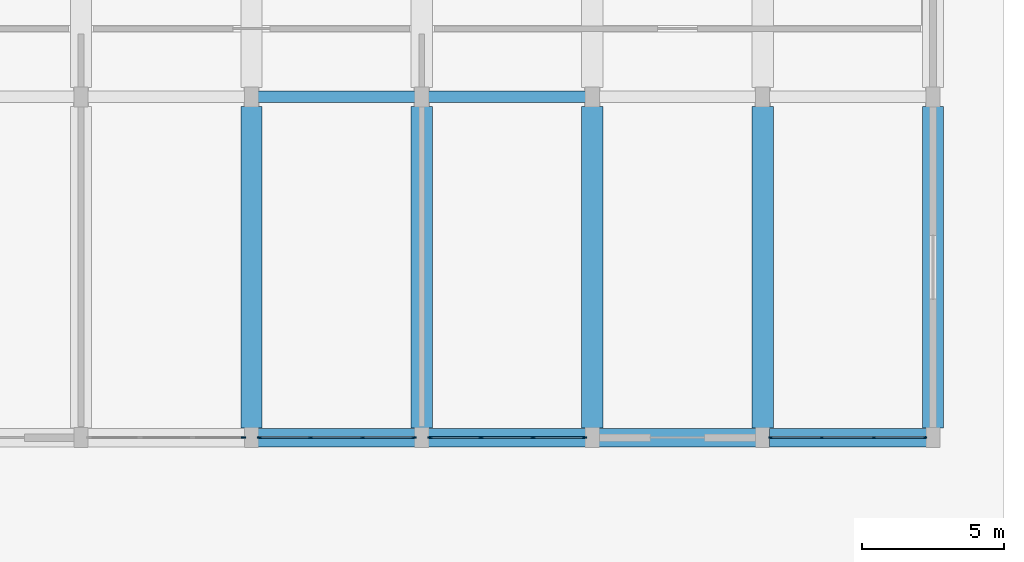
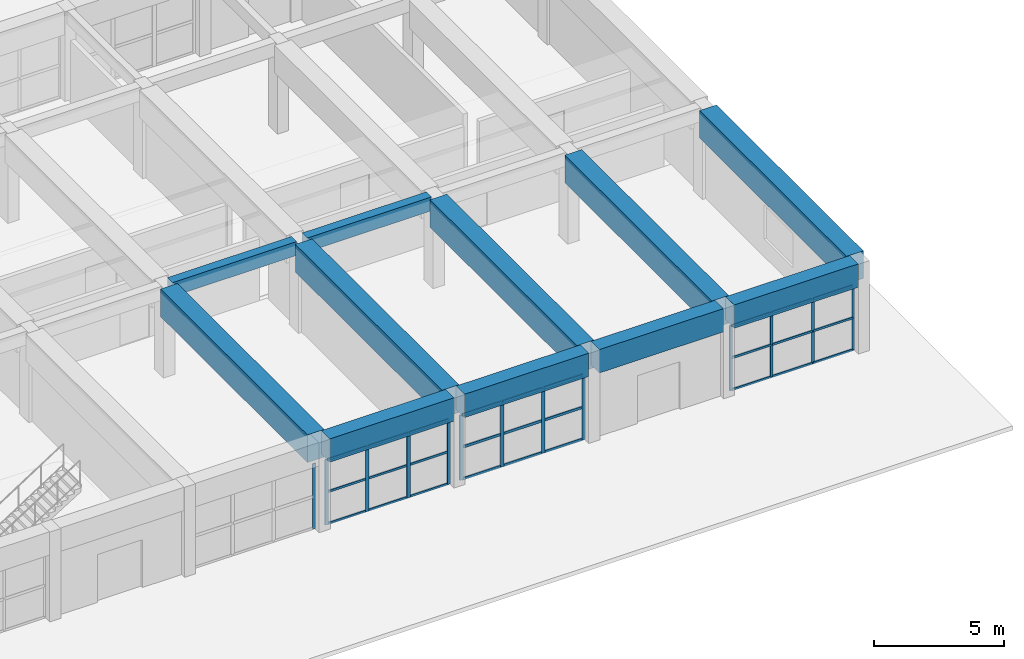
# One storey, part 32 of 76: 40 members, 11 beams, 4 elements without a shape of their own.
"""IFC4 building model written with IfcOpenShell, lengths in metres."""

import ifcopenshell
import ifcopenshell.guid

model = None  # the IFC model being written
_history = None  # IfcOwnerHistory: only IFC2X3 demands one
_inside = {}  # id of a spatial element -> (the spatial element, [elements in it])
_under = {}  # id of a project, library or spatial element -> (it, [spatial elements below it])
_declared = {}  # id of a project -> (the project, [libraries it declares])
_typed = {}  # id of a type object -> (the type object, [elements of that type])
_made_of = {}  # id of a material, layer set ... -> (it, [elements and type objects made of it])


def new_model(schema):
    """Start an empty IFC model of exactly this schema.

    Asked for "IFC4X3", IfcOpenShell would pick the latest addendum, in which some entities
    have other attributes; the version numbers below select the first issue.
    IFC2X3 requires an IfcOwnerHistory on every rooted entity: one is made here for all.
    """
    global model, _history
    if schema == "IFC4X3":
        model = ifcopenshell.file(schema_version=(4, 3, 0, 0))
    else:
        model = ifcopenshell.file(schema=schema)
    _inside.clear()
    _under.clear()
    _declared.clear()
    _typed.clear()
    _made_of.clear()
    _history = None
    if model.schema == "IFC2X3":
        org = make("IfcOrganization", Name="unknown")
        user = make(
            "IfcPersonAndOrganization",
            ThePerson=make("IfcPerson", FamilyName="unknown"),
            TheOrganization=org,
        )
        app = make(
            "IfcApplication",
            ApplicationDeveloper=org,
            Version="unknown",
            ApplicationFullName="unknown",
            ApplicationIdentifier="unknown",
        )
        _history = make(
            "IfcOwnerHistory",
            OwningUser=user,
            OwningApplication=app,
            ChangeAction="ADDED",
            CreationDate=0,
        )
    return model


def make(cls, **values):
    """One entity of the class cls with the attributes given. An attribute that is None is left unset."""
    return model.create_entity(
        cls, **{name: value for name, value in values.items() if value is not None}
    )


def rooted(cls, **values):
    """An entity with a GlobalId (a new one), such as an element, a storey or a relation."""
    return make(cls, GlobalId=ifcopenshell.guid.new(), OwnerHistory=_history, **values)


def si_unit(unit_type, name, prefix=None):
    """IfcSIUnit, for example si_unit("LENGTHUNIT", "METRE", prefix="MILLI")."""
    return make("IfcSIUnit", UnitType=unit_type, Prefix=prefix, Name=name)


def assignment(units):
    """IfcUnitAssignment: the units of a project."""
    return None if units is None else make("IfcUnitAssignment", Units=units)


def point(xyz):
    """IfcCartesianPoint."""
    return None if xyz is None else make("IfcCartesianPoint", Coordinates=xyz)


def direction(xyz):
    """IfcDirection."""
    return None if xyz is None else make("IfcDirection", DirectionRatios=xyz)


def frame(location, z_axis=None, x_axis=None):
    """IfcAxis2Placement3D, a coordinate frame: its origin and axes. An axis left out is left unset."""
    return make(
        "IfcAxis2Placement3D",
        Location=point(location),
        Axis=direction(z_axis),
        RefDirection=direction(x_axis),
    )


def frame_2d(location, x_axis=None):
    """IfcAxis2Placement2D, a coordinate frame in the plane: its origin and x axis."""
    return make(
        "IfcAxis2Placement2D", Location=point(location), RefDirection=direction(x_axis)
    )


def origin():
    """The frame at (0, 0, 0) with its axes left unset."""
    return frame((0.0, 0.0, 0.0))


def origin_2d():
    """The frame at (0, 0) in the plane with its x axis left unset."""
    return frame_2d((0.0, 0.0))


def place(relative_to, where):
    """IfcLocalPlacement: puts the frame where relative to a parent placement (None: the world)."""
    return make(
        "IfcLocalPlacement", PlacementRelTo=relative_to, RelativePlacement=where
    )


def context(
    kind, dimensions, precision=None, world=None, true_north=None, identifier=None
):
    """IfcGeometricRepresentationContext, for example the 3D "Model" context."""
    return make(
        "IfcGeometricRepresentationContext",
        ContextIdentifier=identifier,
        ContextType=kind,
        CoordinateSpaceDimension=dimensions,
        Precision=precision,
        WorldCoordinateSystem=world,
        TrueNorth=true_north,
    )


def subcontext(parent, identifier, kind, view, scale=None):
    """IfcGeometricRepresentationSubContext, for example "Body" below "Model"."""
    return make(
        "IfcGeometricRepresentationSubContext",
        ContextIdentifier=identifier,
        ContextType=kind,
        ParentContext=parent,
        TargetScale=scale,
        TargetView=view,
    )


def project(units=None, contexts=None):
    """IfcProject with its units and contexts."""
    return rooted(
        "IfcProject",
        Name="project",
        RepresentationContexts=contexts,
        UnitsInContext=assignment(units),
    )


def spatial(cls, under=None, at=None, **own):
    """A site, building, storey or space (cls), placed at a placement, below another one or the project."""
    s = rooted(cls, ObjectPlacement=at, **own)
    if under is not None:
        _under.setdefault(under.id(), (under, []))[1].append(s)
    return s


def profile(cls, at=None, kind="AREA", **sizes):
    """A parametric profile (cls). Its sizes go by their IFC names, for example OverallWidth=200.0."""
    return make(cls, ProfileType=kind, Position=at, **sizes)


def rectangle(**sizes):
    """IfcRectangleProfileDef."""
    return profile("IfcRectangleProfileDef", **sizes)


def extrude(swept, where, along, depth):
    """IfcExtrudedAreaSolid: the profile swept, set in the frame where, extruded along a direction by depth."""
    return make(
        "IfcExtrudedAreaSolid",
        SweptArea=swept,
        Position=where,
        ExtrudedDirection=direction(along),
        Depth=depth,
    )


def shape(context_of_items, identifier, shape_type, items):
    """IfcShapeRepresentation: the items that make up one representation, for example the "Body"."""
    return make(
        "IfcShapeRepresentation",
        ContextOfItems=context_of_items,
        RepresentationIdentifier=identifier,
        RepresentationType=shape_type,
        Items=items,
    )


def material(Name=None, Category=None):
    """IfcMaterial."""
    return make("IfcMaterial", Name=Name, Category=Category)


def layer(
    of_material, thickness, ventilated=None, Name=None, Category=None, Priority=None
):
    """IfcMaterialLayer: one layer of a wall or slab, of a material (None: an air gap)."""
    return make(
        "IfcMaterialLayer",
        Material=of_material,
        LayerThickness=thickness,
        IsVentilated=ventilated,
        Name=Name,
        Category=Category,
        Priority=Priority,
    )


def layer_set(layers, Name=None):
    """IfcMaterialLayerSet."""
    return make("IfcMaterialLayerSet", MaterialLayers=layers, LayerSetName=Name)


def material_profile(
    of_material, cross_section, Name=None, Category=None, Priority=None
):
    """IfcMaterialProfile: a cross section and its material."""
    return make(
        "IfcMaterialProfile",
        Name=Name,
        Material=of_material,
        Profile=cross_section,
        Priority=Priority,
        Category=Category,
    )


def profile_set(profiles, Name=None, composite=None):
    """IfcMaterialProfileSet."""
    return make(
        "IfcMaterialProfileSet",
        Name=Name,
        MaterialProfiles=profiles,
        CompositeProfile=composite,
    )


def made_of(thing, what):
    """Note that an element or type object is made of a material, layer set ...; save() writes the relation."""
    if what is not None:
        _made_of.setdefault(what.id(), (what, []))[1].append(thing)
    return thing


def type_object(cls, material=None, **own):
    """A type object (cls), such as IfcWallType, which elements share."""
    return made_of(rooted(cls, **own), material)


def element(
    cls,
    number,
    at=None,
    inside=None,
    cuts=None,
    type_object=None,
    material=None,
    context=None,
    identifier="Body",
    shape_type=None,
    held_by="IfcProductDefinitionShape",
    body=None,
    shapes=None,
    **own,
):
    """One element of the class cls, such as IfcWall. Its Tag is "e" and its number.

    at: its placement. inside: the storey or other place that contains it. cuts: it is an
    opening in that element (IfcRelVoidsElement). A single representation is given by context,
    identifier, shape_type and body (its items); several are given by shapes. held_by: the class
    of the entity that holds the representations. save() writes the other relations.
    """
    e = rooted(cls, Tag="e%d" % number, ObjectPlacement=at, **own)
    if body is not None:
        shapes = [shape(context, identifier, shape_type, body)]
    if shapes is not None:
        e.Representation = make(held_by, Representations=shapes)
    if inside is not None:
        _inside.setdefault(inside.id(), (inside, []))[1].append(e)
    if cuts is not None:
        rooted(
            "IfcRelVoidsElement", RelatingBuildingElement=cuts, RelatedOpeningElement=e
        )
    if type_object is not None:
        _typed.setdefault(type_object.id(), (type_object, []))[1].append(e)
    return made_of(e, material)


def aggregate(whole, parts):
    """IfcRelAggregates: a whole, such as a stair, and the parts it consists of."""
    return rooted("IfcRelAggregates", RelatingObject=whole, RelatedObjects=parts)


def save(model, path):
    """Write the relations noted so far, then the file.

    IfcRelAggregates (storeys below a building ...), IfcRelContainedInSpatialStructure (elements
    in a storey), IfcRelDefinesByType, IfcRelAssociatesMaterial and IfcRelDeclares: one each for
    every whole, place, type object, material and project.
    """
    for whole, parts in _under.values():
        aggregate(whole, parts)
    for where, things in _inside.values():
        rooted(
            "IfcRelContainedInSpatialStructure",
            RelatedElements=things,
            RelatingStructure=where,
        )
    for kind, things in _typed.values():
        rooted("IfcRelDefinesByType", RelatedObjects=things, RelatingType=kind)
    for what, things in _made_of.values():
        rooted("IfcRelAssociatesMaterial", RelatedObjects=things, RelatingMaterial=what)
    for by, libraries in _declared.values():
        rooted("IfcRelDeclares", RelatingContext=by, RelatedDefinitions=libraries)
    model.write(path)


model = new_model("IFC4")

# Units and contexts
model_context = context("Model", 3, precision=1e-05, world=origin(), true_north=direction((0.0, 1.0)))
body_context = subcontext(model_context, "Body", "Model", "MODEL_VIEW")
ifc_project = project(units=[si_unit("LENGTHUNIT", "METRE"), si_unit("AREAUNIT", "SQUARE_METRE"), si_unit("VOLUMEUNIT", "CUBIC_METRE"), si_unit("PLANEANGLEUNIT", "RADIAN"), si_unit("MASSUNIT", "GRAM", prefix="KILO"), si_unit("POWERUNIT", "WATT"), si_unit("THERMODYNAMICTEMPERATUREUNIT", "KELVIN")], contexts=[model_context])

# Site, building, storey
site_placement = place(None, origin())
site = spatial("IfcSite", under=ifc_project, at=site_placement, CompositionType="ELEMENT")
building_placement = place(site_placement, origin())
building = spatial("IfcBuilding", under=site, at=building_placement, Name="Ruvembo Vaulted Housing Court", CompositionType="ELEMENT")
storey_placement = place(building_placement, origin())
storey = spatial("IfcBuildingStorey", under=building, at=storey_placement, Name="L00", CompositionType="ELEMENT", Elevation=0.0)

# Beams
ifc_material_1 = material(Name="Concrete C35/45", Category="concrete")
ifc_material_profile_1 = material_profile(ifc_material_1, rectangle(XDim=0.39990234375, YDim=0.64990234375, at=origin_2d()), Name="RC 400x650")
ifc_profile_set_1 = profile_set([ifc_material_profile_1], Name="Concrete C35/45")
beam_type_1 = type_object("IfcBeamType", Name="BM-RC-400x650", PredefinedType="BEAM", material=ifc_profile_set_1)
for number, where, z_axis, x_axis, name in (
    (1, (162.235107421875, 18.0, 3.905029296875), (1.0, 0.0, 0.0), (0.0, 1.0, 0.0), "L00 Grid Beam X #781"),
    (2, (168.235107421875, 18.0, 3.905029296875), (1.0, 0.0, 0.0), (0.0, 1.0, 0.0), "L00 Grid Beam X #782"),
):
    element("IfcBeam", number, at=place(storey_placement, frame(where, z_axis=z_axis, x_axis=x_axis)), inside=storey, type_object=beam_type_1, Name=name, PredefinedType="BEAM", context=body_context, shape_type="SweptSolid", body=[
        extrude(rectangle(XDim=0.39990234375, YDim=0.64990234375, at=origin_2d()), origin(), (0.0, 0.0, 1.0), 5.52978515625),
    ])

# Curtain wall, members
ifc_material_2 = material(Name="Anodised Aluminium and Solar-Control Glass", Category="aluminium")
ifc_layer = layer(ifc_material_2, 0.159912109375, Name="Anodised Aluminium and Solar-Control Glass")
ifc_layer_set = layer_set([ifc_layer], Name="Anodised Aluminium and Solar-Control Glass")
curtain_wall_type = type_object("IfcCurtainWallType", Name="CW-SHOPFRONT-S", PredefinedType="NOTDEFINED", material=ifc_layer_set)
curtain_wall_1_placement = place(storey_placement, origin())
curtain_wall_1 = element("IfcCurtainWall", 3, at=curtain_wall_1_placement, inside=storey, type_object=curtain_wall_type, Name="L00 Curtain Wall CW-L00-0155", PredefinedType="NOTDEFINED")
ifc_material_3 = material(Name="Anodised Aluminium 6063-T6", Category="aluminium")
ifc_material_profile_2 = material_profile(ifc_material_3, rectangle(XDim=0.054931640625, YDim=0.1201171875, at=origin_2d()), Name="ALU 55x120")
ifc_profile_set_2 = profile_set([ifc_material_profile_2], Name="Anodised Aluminium 6063-T6")
member_type_1 = type_object("IfcMemberType", Name="CW-MUL-55x120", PredefinedType="MULLION", material=ifc_profile_set_2)
member_1_placement = place(storey_placement, frame((180.277587890625, 6.0, 0.0), z_axis=(0.0, 0.0, 1.0), x_axis=(0.0, 1.0, 0.0)))
member_1 = element("IfcMember", 4, at=member_1_placement, type_object=member_type_1, Name="CW3 mullion 1", PredefinedType="MULLION", context=body_context, shape_type="SweptSolid", body=[
    extrude(rectangle(XDim=0.054931640625, YDim=0.1201171875, at=origin_2d()), origin(), (0.0, 0.0, 1.0), 3.06201171875),
])
member_2_placement = place(storey_placement, frame((182.083251953125, 6.0, 0.0), z_axis=(0.0, 0.0, 1.0), x_axis=(0.0, 1.0, 0.0)))
member_2 = element("IfcMember", 5, at=member_2_placement, type_object=member_type_1, Name="CW3 mullion 2", PredefinedType="MULLION", context=body_context, shape_type="SweptSolid", body=[
    extrude(rectangle(XDim=0.054931640625, YDim=0.1201171875, at=origin_2d()), origin(), (0.0, 0.0, 1.0), 3.06201171875),
])
member_3_placement = place(storey_placement, frame((183.916748046875, 6.0, 0.0), z_axis=(0.0, 0.0, 1.0), x_axis=(0.0, 1.0, 0.0)))
member_3 = element("IfcMember", 6, at=member_3_placement, type_object=member_type_1, Name="CW3 mullion 3", PredefinedType="MULLION", context=body_context, shape_type="SweptSolid", body=[
    extrude(rectangle(XDim=0.054931640625, YDim=0.1201171875, at=origin_2d()), origin(), (0.0, 0.0, 1.0), 3.06201171875),
])
member_4_placement = place(storey_placement, frame((185.722412109375, 6.0, 0.0), z_axis=(0.0, 0.0, 1.0), x_axis=(0.0, 1.0, 0.0)))
member_4 = element("IfcMember", 7, at=member_4_placement, type_object=member_type_1, Name="CW3 mullion 4", PredefinedType="MULLION", context=body_context, shape_type="SweptSolid", body=[
    extrude(rectangle(XDim=0.054931640625, YDim=0.1201171875, at=origin_2d()), origin(), (0.0, 0.0, 1.0), 3.06201171875),
])

# Curtain wall, member
curtain_wall_2_placement = place(storey_placement, origin())
curtain_wall_2 = element("IfcCurtainWall", 8, at=curtain_wall_2_placement, inside=storey, type_object=curtain_wall_type, Name="L00 Curtain Wall CW-L00-0145", PredefinedType="NOTDEFINED")
ifc_material_profile_3 = material_profile(ifc_material_3, rectangle(XDim=0.06005859375, YDim=0.159912109375, at=origin_2d()), Name="ALU 60x160")
ifc_profile_set_3 = profile_set([ifc_material_profile_3], Name="Anodised Aluminium 6063-T6")
member_type_2 = type_object("IfcMemberType", Name="CW-MULLION-65x150", PredefinedType="MULLION", material=ifc_profile_set_3)
member_5_placement = place(storey_placement, frame((161.719970703125, 6.0, 0.0), z_axis=(0.0, 0.0, 1.0), x_axis=(0.0, 1.0, 0.0)))
member_5 = element("IfcMember", 9, at=member_5_placement, type_object=member_type_2, Name="CW3 mullion 4", PredefinedType="MULLION", context=body_context, shape_type="SweptSolid", body=[
    extrude(rectangle(XDim=0.06005859375, YDim=0.159912109375, at=origin_2d()), origin(), (0.0, 0.0, 1.0), 3.06201171875),
])
aggregate(curtain_wall_2, [member_5])

# Curtain wall, members
curtain_wall_3_placement = place(storey_placement, origin())
curtain_wall_3 = element("IfcCurtainWall", 10, at=curtain_wall_3_placement, inside=storey, type_object=curtain_wall_type, Name="L00 Curtain Wall CW-L00-0149", PredefinedType="NOTDEFINED")
member_6_placement = place(storey_placement, frame((162.280029296875, 6.0, 0.0), z_axis=(0.0, 0.0, 1.0), x_axis=(0.0, 1.0, 0.0)))
member_6 = element("IfcMember", 11, at=member_6_placement, type_object=member_type_2, Name="CW3 mullion 1", PredefinedType="MULLION", context=body_context, shape_type="SweptSolid", body=[
    extrude(rectangle(XDim=0.06005859375, YDim=0.159912109375, at=origin_2d()), origin(), (0.0, 0.0, 1.0), 3.06201171875),
])
member_7_placement = place(storey_placement, frame((164.083251953125, 6.0, 0.0), z_axis=(0.0, 0.0, 1.0), x_axis=(0.0, 1.0, 0.0)))
member_7 = element("IfcMember", 12, at=member_7_placement, type_object=member_type_2, Name="CW3 mullion 2", PredefinedType="MULLION", context=body_context, shape_type="SweptSolid", body=[
    extrude(rectangle(XDim=0.06005859375, YDim=0.159912109375, at=origin_2d()), origin(), (0.0, 0.0, 1.0), 3.06201171875),
])
member_8_placement = place(storey_placement, frame((165.916748046875, 6.0, 0.0), z_axis=(0.0, 0.0, 1.0), x_axis=(0.0, 1.0, 0.0)))
member_8 = element("IfcMember", 13, at=member_8_placement, type_object=member_type_2, Name="CW3 mullion 3", PredefinedType="MULLION", context=body_context, shape_type="SweptSolid", body=[
    extrude(rectangle(XDim=0.06005859375, YDim=0.159912109375, at=origin_2d()), origin(), (0.0, 0.0, 1.0), 3.06201171875),
])
member_9_placement = place(storey_placement, frame((167.719970703125, 6.0, 0.0), z_axis=(0.0, 0.0, 1.0), x_axis=(0.0, 1.0, 0.0)))
member_9 = element("IfcMember", 14, at=member_9_placement, type_object=member_type_2, Name="CW3 mullion 4", PredefinedType="MULLION", context=body_context, shape_type="SweptSolid", body=[
    extrude(rectangle(XDim=0.06005859375, YDim=0.159912109375, at=origin_2d()), origin(), (0.0, 0.0, 1.0), 3.06201171875),
])

curtain_wall_4_placement = place(storey_placement, origin())
curtain_wall_4 = element("IfcCurtainWall", 15, at=curtain_wall_4_placement, inside=storey, type_object=curtain_wall_type, Name="L00 Curtain Wall CW-L00-0153", PredefinedType="NOTDEFINED")
member_10_placement = place(storey_placement, frame((168.280029296875, 6.0, 0.0), z_axis=(0.0, 0.0, 1.0), x_axis=(0.0, 1.0, 0.0)))
member_10 = element("IfcMember", 16, at=member_10_placement, type_object=member_type_2, Name="CW3 mullion 1", PredefinedType="MULLION", context=body_context, shape_type="SweptSolid", body=[
    extrude(rectangle(XDim=0.06005859375, YDim=0.159912109375, at=origin_2d()), origin(), (0.0, 0.0, 1.0), 3.06201171875),
])
member_11_placement = place(storey_placement, frame((170.083251953125, 6.0, 0.0), z_axis=(0.0, 0.0, 1.0), x_axis=(0.0, 1.0, 0.0)))
member_11 = element("IfcMember", 17, at=member_11_placement, type_object=member_type_2, Name="CW3 mullion 2", PredefinedType="MULLION", context=body_context, shape_type="SweptSolid", body=[
    extrude(rectangle(XDim=0.06005859375, YDim=0.159912109375, at=origin_2d()), origin(), (0.0, 0.0, 1.0), 3.06201171875),
])
member_12_placement = place(storey_placement, frame((171.916748046875, 6.0, 0.0), z_axis=(0.0, 0.0, 1.0), x_axis=(0.0, 1.0, 0.0)))
member_12 = element("IfcMember", 18, at=member_12_placement, type_object=member_type_2, Name="CW3 mullion 3", PredefinedType="MULLION", context=body_context, shape_type="SweptSolid", body=[
    extrude(rectangle(XDim=0.06005859375, YDim=0.159912109375, at=origin_2d()), origin(), (0.0, 0.0, 1.0), 3.06201171875),
])
member_13_placement = place(storey_placement, frame((173.719970703125, 6.0, 0.0), z_axis=(0.0, 0.0, 1.0), x_axis=(0.0, 1.0, 0.0)))
member_13 = element("IfcMember", 19, at=member_13_placement, type_object=member_type_2, Name="CW3 mullion 4", PredefinedType="MULLION", context=body_context, shape_type="SweptSolid", body=[
    extrude(rectangle(XDim=0.06005859375, YDim=0.159912109375, at=origin_2d()), origin(), (0.0, 0.0, 1.0), 3.06201171875),
])
ifc_material_profile_4 = material_profile(ifc_material_3, rectangle(XDim=0.06005859375, YDim=0.1201171875, at=origin_2d()), Name="ALU 60x120")
ifc_profile_set_4 = profile_set([ifc_material_profile_4], Name="Anodised Aluminium 6063-T6")
member_type_3 = type_object("IfcMemberType", Name="CW-TRANSOM-65x120", PredefinedType="USERDEFINED", material=ifc_profile_set_4)
member_14_placement = place(storey_placement, frame((168.31005859375, 6.0, 0.030029296875), z_axis=(1.0, 0.0, 0.0), x_axis=(0.0, 1.0, 0.0)))
member_14 = element("IfcMember", 20, at=member_14_placement, type_object=member_type_3, Name="CW3 transom 1.1", ObjectType="TRANSOM", PredefinedType="USERDEFINED", context=body_context, shape_type="SweptSolid", body=[
    extrude(rectangle(XDim=0.06005859375, YDim=0.1201171875, at=origin_2d()), origin(), (0.0, 0.0, 1.0), 1.7431640625),
])
member_15_placement = place(storey_placement, frame((168.31005859375, 6.0, 1.531005859375), z_axis=(1.0, 0.0, 0.0), x_axis=(0.0, 1.0, 0.0)))
member_15 = element("IfcMember", 21, at=member_15_placement, type_object=member_type_3, Name="CW3 transom 1.2", ObjectType="TRANSOM", PredefinedType="USERDEFINED", context=body_context, shape_type="SweptSolid", body=[
    extrude(rectangle(XDim=0.06005859375, YDim=0.1201171875, at=origin_2d()), origin(), (0.0, 0.0, 1.0), 1.7431640625),
])
member_16_placement = place(storey_placement, frame((168.31005859375, 6.0, 3.031982421875), z_axis=(1.0, 0.0, 0.0), x_axis=(0.0, 1.0, 0.0)))
member_16 = element("IfcMember", 22, at=member_16_placement, type_object=member_type_3, Name="CW3 transom 1.3", ObjectType="TRANSOM", PredefinedType="USERDEFINED", context=body_context, shape_type="SweptSolid", body=[
    extrude(rectangle(XDim=0.06005859375, YDim=0.1201171875, at=origin_2d()), origin(), (0.0, 0.0, 1.0), 1.7431640625),
])
member_17_placement = place(storey_placement, frame((170.11328125, 6.0, 0.030029296875), z_axis=(1.0, 0.0, 0.0), x_axis=(0.0, 1.0, 0.0)))
member_17 = element("IfcMember", 23, at=member_17_placement, type_object=member_type_3, Name="CW3 transom 2.1", ObjectType="TRANSOM", PredefinedType="USERDEFINED", context=body_context, shape_type="SweptSolid", body=[
    extrude(rectangle(XDim=0.06005859375, YDim=0.1201171875, at=origin_2d()), origin(), (0.0, 0.0, 1.0), 1.7734375),
])
member_18_placement = place(storey_placement, frame((170.11328125, 6.0, 1.531005859375), z_axis=(1.0, 0.0, 0.0), x_axis=(0.0, 1.0, 0.0)))
member_18 = element("IfcMember", 24, at=member_18_placement, type_object=member_type_3, Name="CW3 transom 2.2", ObjectType="TRANSOM", PredefinedType="USERDEFINED", context=body_context, shape_type="SweptSolid", body=[
    extrude(rectangle(XDim=0.06005859375, YDim=0.1201171875, at=origin_2d()), origin(), (0.0, 0.0, 1.0), 1.7734375),
])
member_19_placement = place(storey_placement, frame((170.11328125, 6.0, 3.031982421875), z_axis=(1.0, 0.0, 0.0), x_axis=(0.0, 1.0, 0.0)))
member_19 = element("IfcMember", 25, at=member_19_placement, type_object=member_type_3, Name="CW3 transom 2.3", ObjectType="TRANSOM", PredefinedType="USERDEFINED", context=body_context, shape_type="SweptSolid", body=[
    extrude(rectangle(XDim=0.06005859375, YDim=0.1201171875, at=origin_2d()), origin(), (0.0, 0.0, 1.0), 1.7734375),
])
member_20_placement = place(storey_placement, frame((171.94677734375, 6.0, 0.030029296875), z_axis=(1.0, 0.0, 0.0), x_axis=(0.0, 1.0, 0.0)))
member_20 = element("IfcMember", 26, at=member_20_placement, type_object=member_type_3, Name="CW3 transom 3.1", ObjectType="TRANSOM", PredefinedType="USERDEFINED", context=body_context, shape_type="SweptSolid", body=[
    extrude(rectangle(XDim=0.06005859375, YDim=0.1201171875, at=origin_2d()), origin(), (0.0, 0.0, 1.0), 1.7431640625),
])
member_21_placement = place(storey_placement, frame((171.94677734375, 6.0, 1.531005859375), z_axis=(1.0, 0.0, 0.0), x_axis=(0.0, 1.0, 0.0)))
member_21 = element("IfcMember", 27, at=member_21_placement, type_object=member_type_3, Name="CW3 transom 3.2", ObjectType="TRANSOM", PredefinedType="USERDEFINED", context=body_context, shape_type="SweptSolid", body=[
    extrude(rectangle(XDim=0.06005859375, YDim=0.1201171875, at=origin_2d()), origin(), (0.0, 0.0, 1.0), 1.7431640625),
])
member_22_placement = place(storey_placement, frame((171.94677734375, 6.0, 3.031982421875), z_axis=(1.0, 0.0, 0.0), x_axis=(0.0, 1.0, 0.0)))
member_22 = element("IfcMember", 28, at=member_22_placement, type_object=member_type_3, Name="CW3 transom 3.3", ObjectType="TRANSOM", PredefinedType="USERDEFINED", context=body_context, shape_type="SweptSolid", body=[
    extrude(rectangle(XDim=0.06005859375, YDim=0.1201171875, at=origin_2d()), origin(), (0.0, 0.0, 1.0), 1.7431640625),
])
aggregate(curtain_wall_4, [member_10, member_11, member_12, member_13, member_14, member_15, member_16, member_17, member_18, member_19, member_20, member_21, member_22])

# Member
ifc_material_profile_5 = material_profile(ifc_material_3, rectangle(XDim=0.06005859375, YDim=0.10009765625, at=origin_2d()), Name="ALU 60x100")
ifc_profile_set_5 = profile_set([ifc_material_profile_5], Name="Anodised Aluminium 6063-T6")
member_type_4 = type_object("IfcMemberType", Name="CW-TRN-60x100", PredefinedType="USERDEFINED", material=ifc_profile_set_5)
member_23_placement = place(storey_placement, frame((162.31005859375, 6.0, 0.030029296875), z_axis=(1.0, 0.0, 0.0), x_axis=(0.0, 1.0, 0.0)))
member_23 = element("IfcMember", 29, at=member_23_placement, type_object=member_type_4, Name="CW3 transom 1.1", ObjectType="TRANSOM", PredefinedType="USERDEFINED", context=body_context, shape_type="SweptSolid", body=[
    extrude(rectangle(XDim=0.06005859375, YDim=0.10009765625, at=origin_2d()), origin(), (0.0, 0.0, 1.0), 1.7431640625),
])

member_24_placement = place(storey_placement, frame((162.31005859375, 6.0, 1.531005859375), z_axis=(1.0, 0.0, 0.0), x_axis=(0.0, 1.0, 0.0)))
member_24 = element("IfcMember", 30, at=member_24_placement, type_object=member_type_4, Name="CW3 transom 1.2", ObjectType="TRANSOM", PredefinedType="USERDEFINED", context=body_context, shape_type="SweptSolid", body=[
    extrude(rectangle(XDim=0.06005859375, YDim=0.10009765625, at=origin_2d()), origin(), (0.0, 0.0, 1.0), 1.7431640625),
])

member_25_placement = place(storey_placement, frame((162.31005859375, 6.0, 3.031982421875), z_axis=(1.0, 0.0, 0.0), x_axis=(0.0, 1.0, 0.0)))
member_25 = element("IfcMember", 31, at=member_25_placement, type_object=member_type_4, Name="CW3 transom 1.3", ObjectType="TRANSOM", PredefinedType="USERDEFINED", context=body_context, shape_type="SweptSolid", body=[
    extrude(rectangle(XDim=0.06005859375, YDim=0.10009765625, at=origin_2d()), origin(), (0.0, 0.0, 1.0), 1.7431640625),
])

member_26_placement = place(storey_placement, frame((164.11328125, 6.0, 0.030029296875), z_axis=(1.0, 0.0, 0.0), x_axis=(0.0, 1.0, 0.0)))
member_26 = element("IfcMember", 32, at=member_26_placement, type_object=member_type_4, Name="CW3 transom 2.1", ObjectType="TRANSOM", PredefinedType="USERDEFINED", context=body_context, shape_type="SweptSolid", body=[
    extrude(rectangle(XDim=0.06005859375, YDim=0.10009765625, at=origin_2d()), origin(), (0.0, 0.0, 1.0), 1.7734375),
])

member_27_placement = place(storey_placement, frame((164.11328125, 6.0, 1.531005859375), z_axis=(1.0, 0.0, 0.0), x_axis=(0.0, 1.0, 0.0)))
member_27 = element("IfcMember", 33, at=member_27_placement, type_object=member_type_4, Name="CW3 transom 2.2", ObjectType="TRANSOM", PredefinedType="USERDEFINED", context=body_context, shape_type="SweptSolid", body=[
    extrude(rectangle(XDim=0.06005859375, YDim=0.10009765625, at=origin_2d()), origin(), (0.0, 0.0, 1.0), 1.7734375),
])

member_28_placement = place(storey_placement, frame((164.11328125, 6.0, 3.031982421875), z_axis=(1.0, 0.0, 0.0), x_axis=(0.0, 1.0, 0.0)))
member_28 = element("IfcMember", 34, at=member_28_placement, type_object=member_type_4, Name="CW3 transom 2.3", ObjectType="TRANSOM", PredefinedType="USERDEFINED", context=body_context, shape_type="SweptSolid", body=[
    extrude(rectangle(XDim=0.06005859375, YDim=0.10009765625, at=origin_2d()), origin(), (0.0, 0.0, 1.0), 1.7734375),
])

member_29_placement = place(storey_placement, frame((165.94677734375, 6.0, 0.030029296875), z_axis=(1.0, 0.0, 0.0), x_axis=(0.0, 1.0, 0.0)))
member_29 = element("IfcMember", 35, at=member_29_placement, type_object=member_type_4, Name="CW3 transom 3.1", ObjectType="TRANSOM", PredefinedType="USERDEFINED", context=body_context, shape_type="SweptSolid", body=[
    extrude(rectangle(XDim=0.06005859375, YDim=0.10009765625, at=origin_2d()), origin(), (0.0, 0.0, 1.0), 1.7431640625),
])

member_30_placement = place(storey_placement, frame((165.94677734375, 6.0, 1.531005859375), z_axis=(1.0, 0.0, 0.0), x_axis=(0.0, 1.0, 0.0)))
member_30 = element("IfcMember", 36, at=member_30_placement, type_object=member_type_4, Name="CW3 transom 3.2", ObjectType="TRANSOM", PredefinedType="USERDEFINED", context=body_context, shape_type="SweptSolid", body=[
    extrude(rectangle(XDim=0.06005859375, YDim=0.10009765625, at=origin_2d()), origin(), (0.0, 0.0, 1.0), 1.7431640625),
])

member_31_placement = place(storey_placement, frame((165.94677734375, 6.0, 3.031982421875), z_axis=(1.0, 0.0, 0.0), x_axis=(0.0, 1.0, 0.0)))
member_31 = element("IfcMember", 37, at=member_31_placement, type_object=member_type_4, Name="CW3 transom 3.3", ObjectType="TRANSOM", PredefinedType="USERDEFINED", context=body_context, shape_type="SweptSolid", body=[
    extrude(rectangle(XDim=0.06005859375, YDim=0.10009765625, at=origin_2d()), origin(), (0.0, 0.0, 1.0), 1.7431640625),
])

aggregate(curtain_wall_3, [member_6, member_7, member_8, member_9, member_23, member_24, member_25, member_26, member_27, member_28, member_29, member_30, member_31])

member_32_placement = place(storey_placement, frame((180.304931640625, 6.0, 0.030029296875), z_axis=(1.0, 0.0, 0.0), x_axis=(0.0, 1.0, 0.0)))
member_32 = element("IfcMember", 38, at=member_32_placement, type_object=member_type_4, Name="CW3 transom 1.1", ObjectType="TRANSOM", PredefinedType="USERDEFINED", context=body_context, shape_type="SweptSolid", body=[
    extrude(rectangle(XDim=0.06005859375, YDim=0.10009765625, at=origin_2d()), origin(), (0.0, 0.0, 1.0), 1.7509765625),
])

member_33_placement = place(storey_placement, frame((180.304931640625, 6.0, 1.531005859375), z_axis=(1.0, 0.0, 0.0), x_axis=(0.0, 1.0, 0.0)))
member_33 = element("IfcMember", 39, at=member_33_placement, type_object=member_type_4, Name="CW3 transom 1.2", ObjectType="TRANSOM", PredefinedType="USERDEFINED", context=body_context, shape_type="SweptSolid", body=[
    extrude(rectangle(XDim=0.06005859375, YDim=0.10009765625, at=origin_2d()), origin(), (0.0, 0.0, 1.0), 1.7509765625),
])

member_34_placement = place(storey_placement, frame((180.304931640625, 6.0, 3.031982421875), z_axis=(1.0, 0.0, 0.0), x_axis=(0.0, 1.0, 0.0)))
member_34 = element("IfcMember", 40, at=member_34_placement, type_object=member_type_4, Name="CW3 transom 1.3", ObjectType="TRANSOM", PredefinedType="USERDEFINED", context=body_context, shape_type="SweptSolid", body=[
    extrude(rectangle(XDim=0.06005859375, YDim=0.10009765625, at=origin_2d()), origin(), (0.0, 0.0, 1.0), 1.7509765625),
])

member_35_placement = place(storey_placement, frame((182.11083984375, 6.0, 0.030029296875), z_axis=(1.0, 0.0, 0.0), x_axis=(0.0, 1.0, 0.0)))
member_35 = element("IfcMember", 41, at=member_35_placement, type_object=member_type_4, Name="CW3 transom 2.1", ObjectType="TRANSOM", PredefinedType="USERDEFINED", context=body_context, shape_type="SweptSolid", body=[
    extrude(rectangle(XDim=0.06005859375, YDim=0.10009765625, at=origin_2d()), origin(), (0.0, 0.0, 1.0), 1.7783203125),
])

member_36_placement = place(storey_placement, frame((182.11083984375, 6.0, 1.531005859375), z_axis=(1.0, 0.0, 0.0), x_axis=(0.0, 1.0, 0.0)))
member_36 = element("IfcMember", 42, at=member_36_placement, type_object=member_type_4, Name="CW3 transom 2.2", ObjectType="TRANSOM", PredefinedType="USERDEFINED", context=body_context, shape_type="SweptSolid", body=[
    extrude(rectangle(XDim=0.06005859375, YDim=0.10009765625, at=origin_2d()), origin(), (0.0, 0.0, 1.0), 1.7783203125),
])

member_37_placement = place(storey_placement, frame((182.11083984375, 6.0, 3.031982421875), z_axis=(1.0, 0.0, 0.0), x_axis=(0.0, 1.0, 0.0)))
member_37 = element("IfcMember", 43, at=member_37_placement, type_object=member_type_4, Name="CW3 transom 2.3", ObjectType="TRANSOM", PredefinedType="USERDEFINED", context=body_context, shape_type="SweptSolid", body=[
    extrude(rectangle(XDim=0.06005859375, YDim=0.10009765625, at=origin_2d()), origin(), (0.0, 0.0, 1.0), 1.7783203125),
])

member_38_placement = place(storey_placement, frame((183.944091796875, 6.0, 0.030029296875), z_axis=(1.0, 0.0, 0.0), x_axis=(0.0, 1.0, 0.0)))
member_38 = element("IfcMember", 44, at=member_38_placement, type_object=member_type_4, Name="CW3 transom 3.1", ObjectType="TRANSOM", PredefinedType="USERDEFINED", context=body_context, shape_type="SweptSolid", body=[
    extrude(rectangle(XDim=0.06005859375, YDim=0.10009765625, at=origin_2d()), origin(), (0.0, 0.0, 1.0), 1.7509765625),
])

member_39_placement = place(storey_placement, frame((183.944091796875, 6.0, 1.531005859375), z_axis=(1.0, 0.0, 0.0), x_axis=(0.0, 1.0, 0.0)))
member_39 = element("IfcMember", 45, at=member_39_placement, type_object=member_type_4, Name="CW3 transom 3.2", ObjectType="TRANSOM", PredefinedType="USERDEFINED", context=body_context, shape_type="SweptSolid", body=[
    extrude(rectangle(XDim=0.06005859375, YDim=0.10009765625, at=origin_2d()), origin(), (0.0, 0.0, 1.0), 1.7509765625),
])

member_40_placement = place(storey_placement, frame((183.944091796875, 6.0, 3.031982421875), z_axis=(1.0, 0.0, 0.0), x_axis=(0.0, 1.0, 0.0)))
member_40 = element("IfcMember", 46, at=member_40_placement, type_object=member_type_4, Name="CW3 transom 3.3", ObjectType="TRANSOM", PredefinedType="USERDEFINED", context=body_context, shape_type="SweptSolid", body=[
    extrude(rectangle(XDim=0.06005859375, YDim=0.10009765625, at=origin_2d()), origin(), (0.0, 0.0, 1.0), 1.7509765625),
])

aggregate(curtain_wall_1, [member_1, member_2, member_3, member_4, member_32, member_33, member_34, member_35, member_36, member_37, member_38, member_39, member_40])

# Beams
ifc_material_4 = material(Name="Concrete C40/50", Category="concrete")
ifc_material_profile_6 = material_profile(ifc_material_4, rectangle(XDim=0.64990234375, YDim=1.10009765625, at=origin_2d()), Name="RC 650x1100")
ifc_profile_set_6 = profile_set([ifc_material_profile_6], Name="Concrete C40/50")
beam_type_2 = type_object("IfcBeamType", Name="TB-RC-650x1100", PredefinedType="BEAM", material=ifc_profile_set_6)
for number, where, z_axis, x_axis, name in (
    (47, (162.235107421875, 6.0, 3.679931640625), (1.0, 0.0, 0.0), (0.0, 1.0, 0.0), "L00 Grid Beam X #755"),
    (48, (168.235107421875, 6.0, 3.679931640625), (1.0, 0.0, 0.0), (0.0, 1.0, 0.0), "L00 Grid Beam X #756"),
    (49, (174.235107421875, 6.0, 3.679931640625), (1.0, 0.0, 0.0), (0.0, 1.0, 0.0), "L00 Grid Beam X #757"),
    (50, (180.235107421875, 6.0, 3.679931640625), (1.0, 0.0, 0.0), (0.0, 1.0, 0.0), "L00 Grid Beam X #758"),
):
    element("IfcBeam", number, at=place(storey_placement, frame(where, z_axis=z_axis, x_axis=x_axis)), inside=storey, type_object=beam_type_2, Name=name, PredefinedType="BEAM", context=body_context, shape_type="SweptSolid", body=[
        extrude(rectangle(XDim=0.64990234375, YDim=1.10009765625, at=origin_2d()), origin(), (0.0, 0.0, 1.0), 5.52978515625),
    ])
ifc_material_profile_7 = material_profile(ifc_material_4, rectangle(XDim=0.75, YDim=1.300048828125, at=origin_2d()), Name="RC 750x1300")
ifc_profile_set_7 = profile_set([ifc_material_profile_7], Name="Concrete C40/50")
beam_type_3 = type_object("IfcBeamType", Name="TB-RC-750x1300", PredefinedType="BEAM", material=ifc_profile_set_7)
for number, where, z_axis, x_axis, name in (
    (51, (162.0, 6.3349609375, 3.580078125), (0.0, 1.0, 0.0), (-1.0, 0.0, 0.0), "L00 Grid Beam Y #1094"),
    (52, (168.0, 6.3349609375, 3.580078125), (0.0, 1.0, 0.0), (-1.0, 0.0, 0.0), "L00 Grid Beam Y #1101"),
    (53, (174.0, 6.3349609375, 3.580078125), (0.0, 1.0, 0.0), (-1.0, 0.0, 0.0), "L00 Grid Beam Y #1109"),
    (54, (180.0, 6.3349609375, 3.580078125), (0.0, 1.0, 0.0), (-1.0, 0.0, 0.0), "L00 Grid Beam Y #1116"),
    (55, (186.0, 6.3349609375, 3.580078125), (0.0, 1.0, 0.0), (-1.0, 0.0, 0.0), "L00 Grid Beam Y #1123"),
):
    element("IfcBeam", number, at=place(storey_placement, frame(where, z_axis=z_axis, x_axis=x_axis)), inside=storey, type_object=beam_type_3, Name=name, PredefinedType="BEAM", context=body_context, shape_type="SweptSolid", body=[
        extrude(rectangle(XDim=0.75, YDim=1.300048828125, at=origin_2d()), origin(), (0.0, 0.0, 1.0), 11.330078125),
    ])

save(model, "model.ifc")
